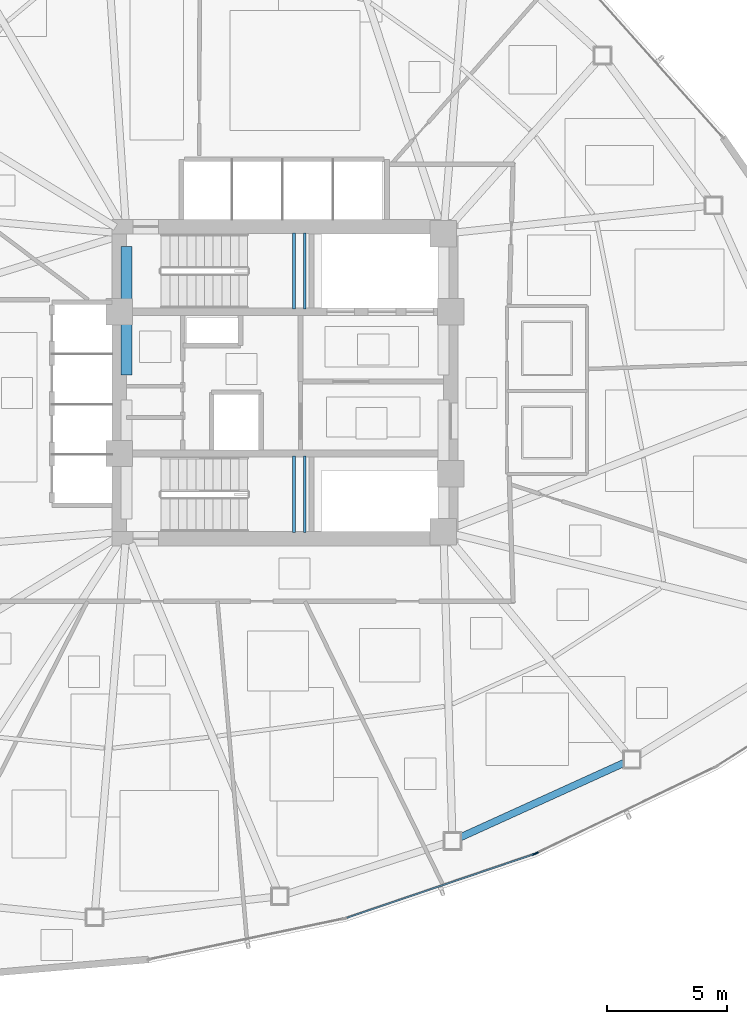
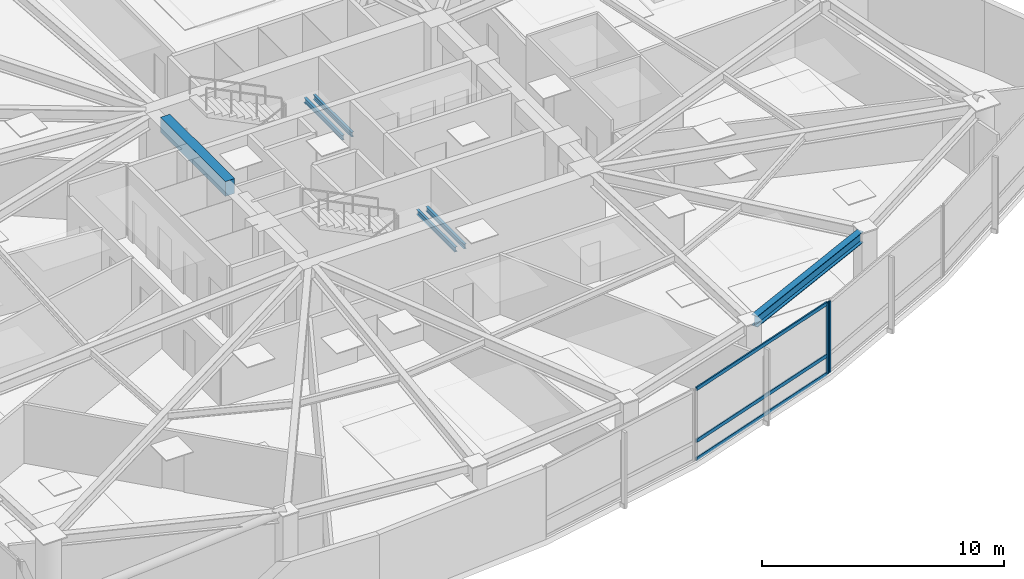
# One storey, part 5 of 17: 6 beams, 5 members, 2 elements without a shape of their own.
"""IFC4 building model written with IfcOpenShell, lengths in metres."""

from ifc_helpers import new_model, si_unit, direction, frame, origin, origin_2d, place, context, subcontext, project, spatial, rectangle, hollow_rectangle, i_section, extrude, source, transform, mapped, material, layer, layer_set, material_profile, profile_set, type_object, type_shapes, element, aggregate, save


model = new_model("IFC4")

# Units and contexts
model_context = context("Model", 3, precision=1e-05, world=origin(), true_north=direction((0.0, 1.0)))
body_context = subcontext(model_context, "Body", "Model", "MODEL_VIEW")
ifc_project = project(units=[si_unit("LENGTHUNIT", "METRE"), si_unit("AREAUNIT", "SQUARE_METRE"), si_unit("VOLUMEUNIT", "CUBIC_METRE"), si_unit("PLANEANGLEUNIT", "RADIAN"), si_unit("MASSUNIT", "GRAM", prefix="KILO")], contexts=[model_context])

# Site, building, storey
site_placement = place(None, origin())
site = spatial("IfcSite", under=ifc_project, at=site_placement, CompositionType="ELEMENT")
building_placement = place(site_placement, origin())
building = spatial("IfcBuilding", under=site, at=building_placement, Name="Tavelor Broadcast Tower", CompositionType="ELEMENT")
storey_placement = place(building_placement, frame((0.0, 0.0, 90.0)))
storey = spatial("IfcBuildingStorey", under=building, at=storey_placement, Name="L21", CompositionType="ELEMENT", Elevation=90.0)

# Beams
ifc_material_1 = material(Name="Concrete C40/50", Category="concrete")
ifc_material_profile_1 = material_profile(ifc_material_1, rectangle(XDim=0.449951171875, YDim=0.75, at=origin_2d()), Name="RC 450x750")
ifc_profile_set_1 = profile_set([ifc_material_profile_1], Name="Concrete C40/50")
beam_type_1 = type_object("IfcBeamType", Name="Basement Core Trim Beam 450x750", PredefinedType="BEAM", material=ifc_profile_set_1)
beam_1_placement = place(storey_placement, frame((43.39990234375, 45.327880859375, 3.22509765625), z_axis=(0.0, 1.0, 0.0), x_axis=(-1.0, 0.0, 0.0)))
element("IfcBeam", 1, at=beam_1_placement, inside=storey, type_object=beam_type_1, Name="L21 Core West-N Tie Girder", PredefinedType="BEAM", context=body_context, shape_type="SweptSolid", body=[
    extrude(rectangle(XDim=0.449951171875, YDim=0.75, at=origin_2d()), origin(), (0.0, 0.0, 1.0), 5.34423828125),
])
ifc_material_2 = material(Name="Steel S355", Category="steel")
ifc_material_profile_2 = material_profile(ifc_material_2, i_section(OverallWidth=0.300048828125, OverallDepth=0.550048828125, WebThickness=0.014892578125, FlangeThickness=0.029052734375, at=origin_2d()), Name="HEB 550")
ifc_profile_set_2 = profile_set([ifc_material_profile_2], Name="Steel S355")
beam_type_2 = type_object("IfcBeamType", Name="Perimeter Spandrel Beam T2 HEB 550", PredefinedType="SPANDREL", material=ifc_profile_set_2)
beam_2_placement = place(storey_placement, frame((57.28125, 26.060546875, 3.324951171875), z_axis=(0.910420869291, 0.413683261395, 0.0), x_axis=(-0.413683261395, 0.910420869291, 0.0)))
element("IfcBeam", 2, at=beam_2_placement, inside=storey, type_object=beam_type_2, Name="L21 Framed-Tube Ring Spandrel 11", PredefinedType="SPANDREL", context=body_context, shape_type="SweptSolid", body=[
    extrude(i_section(OverallWidth=0.300048828125, OverallDepth=0.550048828125, WebThickness=0.014892578125, FlangeThickness=0.029052734375, at=origin_2d()), origin(), (0.0, 0.0, 1.0), 7.531005859375),
])
ifc_material_profile_3 = material_profile(ifc_material_2, i_section(OverallWidth=0.1201171875, OverallDepth=0.239990234375, WebThickness=0.006103515625, FlangeThickness=0.009765625, at=origin_2d()), Name="IPE 240")
ifc_profile_set_3 = profile_set([ifc_material_profile_3], Name="Steel S355")
beam_type_3 = type_object("IfcBeamType", Name="Stairwell Landing Support Trimmer Beam IPE240", PredefinedType="BEAM", material=ifc_profile_set_3)
for number, where, z_axis, x_axis, name in (
    (3, (50.385009765625, 48.06005859375, 1.635009765625), (0.0, 1.0, 0.0), (-1.0, 0.0, 0.0), "L21 Stair Landing Support Beam 67"),
    (4, (50.824951171875, 48.06005859375, 1.635009765625), (0.0, 1.0, 0.0), (-1.0, 0.0, 0.0), "L21 Stair Landing Support Beam 68"),
    (5, (50.385009765625, 38.760009765625, 1.635009765625), (0.0, 1.0, 0.0), (-1.0, 0.0, 0.0), "L21 Stair Landing Support Beam 281"),
    (6, (50.824951171875, 38.760009765625, 1.635009765625), (0.0, 1.0, 0.0), (-1.0, 0.0, 0.0), "L21 Stair Landing Support Beam 282"),
):
    element("IfcBeam", number, at=place(storey_placement, frame(where, z_axis=z_axis, x_axis=x_axis)), inside=storey, type_object=beam_type_3, Name=name, PredefinedType="BEAM", context=body_context, shape_type="SweptSolid", body=[
        extrude(i_section(OverallWidth=0.1201171875, OverallDepth=0.239990234375, WebThickness=0.006103515625, FlangeThickness=0.009765625, at=origin_2d()), origin(), (0.0, 0.0, 1.0), 3.179931640625),
    ])

# Curtain wall, member
ifc_material_3 = material(Name="Architectural Anodized Aluminium", Category="aluminium")
ifc_layer = layer(ifc_material_3, 0.179931640625)
ifc_layer_set = layer_set([ifc_layer], Name="Architectural Anodized Aluminium")
curtain_wall_type = type_object("IfcCurtainWallType", Name="Tower Low-Zone Unitised Curtain Wall CW02", PredefinedType="NOTDEFINED", material=ifc_layer_set)
curtain_wall_1_placement = place(storey_placement, origin())
curtain_wall_1 = element("IfcCurtainWall", 7, at=curtain_wall_1_placement, inside=storey, type_object=curtain_wall_type, Name="L21 Curtain Wall CW02 Run 210", PredefinedType="NOTDEFINED")
ifc_material_profile_4 = material_profile(ifc_material_3, hollow_rectangle(XDim=0.06494140625, YDim=0.179931640625, WallThickness=0.02197265625, at=origin_2d()), Name="RHS 65x180x22")
ifc_profile_set_4 = profile_set([ifc_material_profile_4], Name="Architectural Anodized Aluminium")
member_type_1 = type_object("IfcMemberType", Name="CW02 Extruded Aluminium Mullion 65x180", PredefinedType="MULLION", material=ifc_profile_set_4)
shared_shape_1 = source(origin(), body_context, "Body", "SweptSolid", [
    extrude(hollow_rectangle(XDim=0.06494140625, YDim=0.179931640625, WallThickness=0.02197265625, at=origin_2d()), origin(), (0.0, 0.0, 1.0), 3.60009765625),
])
type_shapes(member_type_1, [shared_shape_1])
member_1_placement = place(storey_placement, frame((60.375732421875, 25.371826171875, 0.0), z_axis=(0.0, 0.0, 1.0), x_axis=(-0.32185218077, 0.946789931154, 0.0)))
member_1 = element("IfcMember", 8, at=member_1_placement, type_object=member_type_1, Name="CW02 mullion 2", PredefinedType="MULLION", context=body_context, shape_type="MappedRepresentation", body=[
    mapped(shared_shape_1, transform((0.0, 0.0, 0.0), scale=1.0)),
])

curtain_wall_2_placement = place(storey_placement, origin())
curtain_wall_2 = element("IfcCurtainWall", 9, at=curtain_wall_2_placement, inside=storey, type_object=curtain_wall_type, Name="L21 Curtain Wall CW02 Run 211", PredefinedType="NOTDEFINED")
member_2_placement = place(storey_placement, frame((60.463623046875, 25.40771484375, 0.0), z_axis=(0.0, 0.0, 1.0), x_axis=(-0.434067422575, 0.900880387543, 0.0)))
member_2 = element("IfcMember", 10, at=member_2_placement, type_object=member_type_1, Name="CW02 mullion 1", PredefinedType="MULLION", context=body_context, shape_type="MappedRepresentation", body=[
    mapped(shared_shape_1, transform((0.0, 0.0, 0.0), scale=1.0)),
])
aggregate(curtain_wall_2, [member_2])

# Member
ifc_material_profile_5 = material_profile(ifc_material_3, hollow_rectangle(XDim=0.06494140625, YDim=0.179931640625, WallThickness=0.02197265625, at=origin_2d()), Name="RHS 65x180x22")
ifc_profile_set_5 = profile_set([ifc_material_profile_5], Name="Architectural Anodized Aluminium")
member_type_2 = type_object("IfcMemberType", Name="CW02 Extruded Aluminium Transom 65x180", PredefinedType="USERDEFINED", material=ifc_profile_set_5)
shared_shape_2 = source(origin(), body_context, "Body", "SweptSolid", [
    extrude(hollow_rectangle(XDim=0.06494140625, YDim=0.179931640625, WallThickness=0.02197265625, at=origin_2d()), origin(), (0.0, 0.0, 1.0), 8.203857421875),
])
type_shapes(member_type_2, [shared_shape_2])
member_3_placement = place(storey_placement, frame((52.57763671875, 22.720703125, 0.032470703125), z_axis=(0.94678272094, 0.321873390215, 0.0), x_axis=(-0.321873390215, 0.94678272094, 0.0)))
member_3 = element("IfcMember", 11, at=member_3_placement, type_object=member_type_2, Name="CW02 transom 1.1", ObjectType="TRANSOM", PredefinedType="USERDEFINED", context=body_context, shape_type="MappedRepresentation", body=[
    mapped(shared_shape_2, transform((0.0, 0.0, 0.0), scale=1.0)),
])

member_4_placement = place(storey_placement, frame((52.57763671875, 22.720703125, 0.949951171875), z_axis=(0.94678272094, 0.321873390215, 0.0), x_axis=(-0.321873390215, 0.94678272094, 0.0)))
member_4 = element("IfcMember", 12, at=member_4_placement, type_object=member_type_2, Name="CW02 transom 1.2", ObjectType="TRANSOM", PredefinedType="USERDEFINED", context=body_context, shape_type="MappedRepresentation", body=[
    mapped(shared_shape_2, transform((0.0, 0.0, 0.0), scale=1.0)),
])

member_5_placement = place(storey_placement, frame((52.57763671875, 22.720703125, 3.5673828125), z_axis=(0.94678272094, 0.321873390215, 0.0), x_axis=(-0.321873390215, 0.94678272094, 0.0)))
member_5 = element("IfcMember", 13, at=member_5_placement, type_object=member_type_2, Name="CW02 transom 1.3", ObjectType="TRANSOM", PredefinedType="USERDEFINED", context=body_context, shape_type="MappedRepresentation", body=[
    mapped(shared_shape_2, transform((0.0, 0.0, 0.0), scale=1.0)),
])

aggregate(curtain_wall_1, [member_1, member_3, member_4, member_5])

save(model, "model.ifc")
